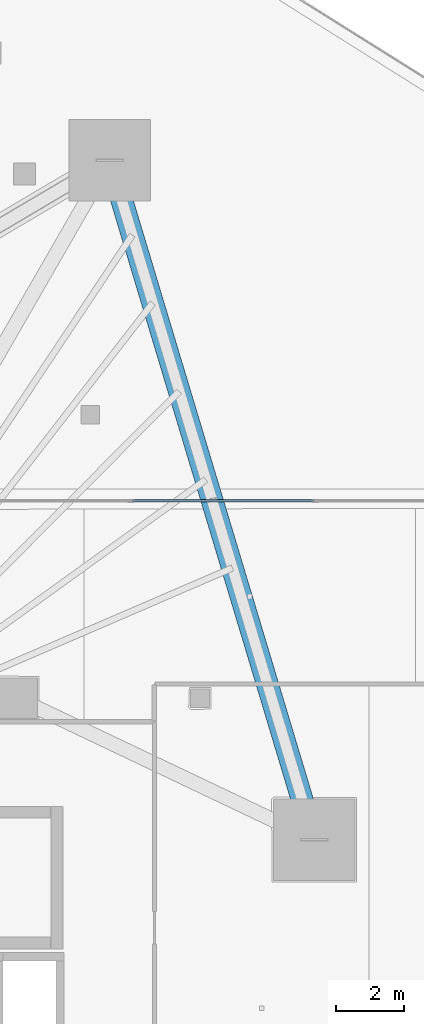
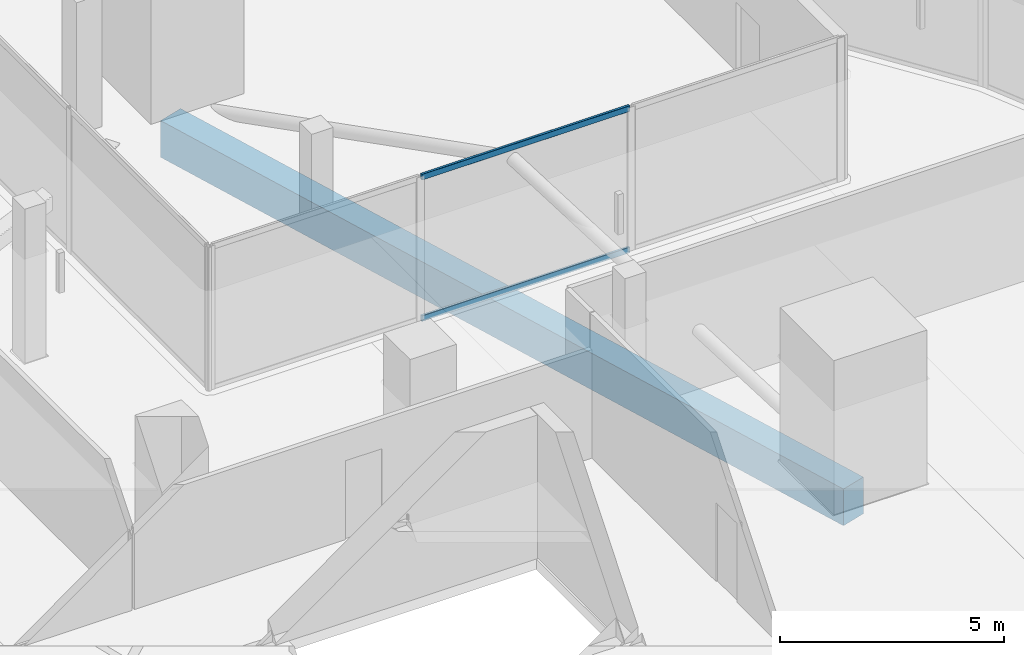
# One storey, part 21 of 47: 2 members, 1 beam, 1 element without a shape of its own.
"""IFC4 building model written with IfcOpenShell, lengths in metres."""

from ifc_helpers import new_model, si_unit, direction, frame, origin, origin_2d, place, context, subcontext, project, spatial, rectangle, hollow_rectangle, extrude, material, layer, layer_set, material_profile, profile_set, type_object, element, aggregate, save


model = new_model("IFC4")

# Units and contexts
model_context = context("Model", 3, precision=1e-05, world=origin(), true_north=direction((0.0, 1.0)))
body_context = subcontext(model_context, "Body", "Model", "MODEL_VIEW")
ifc_project = project(units=[si_unit("LENGTHUNIT", "METRE"), si_unit("AREAUNIT", "SQUARE_METRE"), si_unit("VOLUMEUNIT", "CUBIC_METRE"), si_unit("PLANEANGLEUNIT", "RADIAN"), si_unit("MASSUNIT", "GRAM", prefix="KILO")], contexts=[model_context])

# Site, building, storey
site_placement = place(None, origin())
site = spatial("IfcSite", under=ifc_project, at=site_placement, CompositionType="ELEMENT")
building_placement = place(site_placement, origin())
building = spatial("IfcBuilding", under=site, at=building_placement, Name="Qorvath Tower", CompositionType="ELEMENT")
storey_placement = place(building_placement, frame((0.0, 0.0, 74.39990234375)))
storey = spatial("IfcBuildingStorey", under=building, at=storey_placement, Name="L16", CompositionType="ELEMENT", Elevation=74.39990234375)

# Beam
ifc_material_1 = material(Name="Concrete C50/60", Category="concrete")
ifc_material_profile_1 = material_profile(ifc_material_1, rectangle(XDim=0.64990234375, YDim=1.0, at=origin_2d()), Name="RCB 1000x650")
ifc_profile_set_1 = profile_set([ifc_material_profile_1], Name="Concrete C50/60")
beam_type = type_object("IfcBeamType", Name="BM-RCB1", PredefinedType="SPANDREL", material=ifc_profile_set_1)
beam_placement = place(storey_placement, frame((-8.430419921875, 7.2763671875, -0.77978515625), z_axis=(-0.288118908799, 0.957594639914, 0.0), x_axis=(-0.957594639914, -0.288118908799, 0.0)))
element("IfcBeam", 1, at=beam_placement, inside=storey, type_object=beam_type, Name="Perimeter Loggia Frame Beam MC5-MC6 L16", PredefinedType="SPANDREL", context=body_context, shape_type="SweptSolid", body=[
    extrude(rectangle(XDim=0.64990234375, YDim=1.0, at=origin_2d()), origin(), (0.0, 0.0, 1.0), 20.942626953125),
])

# Curtain wall, members
ifc_material_2 = material(Name="Anodised aluminium and triple low-E glass", Category="aluminium")
ifc_layer = layer(ifc_material_2, 0.179931640625)
ifc_layer_set = layer_set([ifc_layer], Name="CW-SYS-5")
curtain_wall_type = type_object("IfcCurtainWallType", Name="CW-SYS-5", PredefinedType="NOTDEFINED", material=ifc_layer_set)
curtain_wall_placement = place(storey_placement, origin())
curtain_wall = element("IfcCurtainWall", 2, at=curtain_wall_placement, inside=storey, type_object=curtain_wall_type, Name="Curtain Wall CW-5 CW-T-L16-2.1", PredefinedType="NOTDEFINED")
ifc_material_3 = material(Name="Anodised aluminium 6063-T6", Category="aluminium")
ifc_material_profile_2 = material_profile(ifc_material_3, hollow_rectangle(XDim=0.06494140625, YDim=0.159912109375, WallThickness=0.00341796875, InnerFilletRadius=0.00341796875, OuterFilletRadius=0.007080078125, at=origin_2d()), Name="CWT 160x65")
ifc_profile_set_2 = profile_set([ifc_material_profile_2], Name="Anodised aluminium 6063-T6")
member_type = type_object("IfcMemberType", Name="CWT-160", PredefinedType="USERDEFINED", material=ifc_profile_set_2)
member_1_placement = place(storey_placement, frame((-8.4375, 17.280029296875, 0.032470703125), z_axis=(-1.0, 0.0, 0.0), x_axis=(0.0, -1.0, 0.0)))
member_1 = element("IfcMember", 3, at=member_1_placement, type_object=member_type, Name="CW-5 transom 2.1", ObjectType="TRANSOM", PredefinedType="USERDEFINED", context=body_context, shape_type="SweptSolid", body=[
    extrude(hollow_rectangle(XDim=0.06494140625, YDim=0.159912109375, WallThickness=0.00341796875, InnerFilletRadius=0.00341796875, OuterFilletRadius=0.007080078125, at=origin_2d()), origin(), (0.0, 0.0, 1.0), 5.364990234375),
])
member_2_placement = place(storey_placement, frame((-8.4375, 17.280029296875, 3.8876953125), z_axis=(-1.0, 0.0, 0.0), x_axis=(0.0, -1.0, 0.0)))
member_2 = element("IfcMember", 4, at=member_2_placement, type_object=member_type, Name="CW-5 transom 2.2", ObjectType="TRANSOM", PredefinedType="USERDEFINED", context=body_context, shape_type="SweptSolid", body=[
    extrude(hollow_rectangle(XDim=0.06494140625, YDim=0.159912109375, WallThickness=0.00341796875, InnerFilletRadius=0.00341796875, OuterFilletRadius=0.007080078125, at=origin_2d()), origin(), (0.0, 0.0, 1.0), 5.364990234375),
])
aggregate(curtain_wall, [member_1, member_2])

save(model, "model.ifc")
